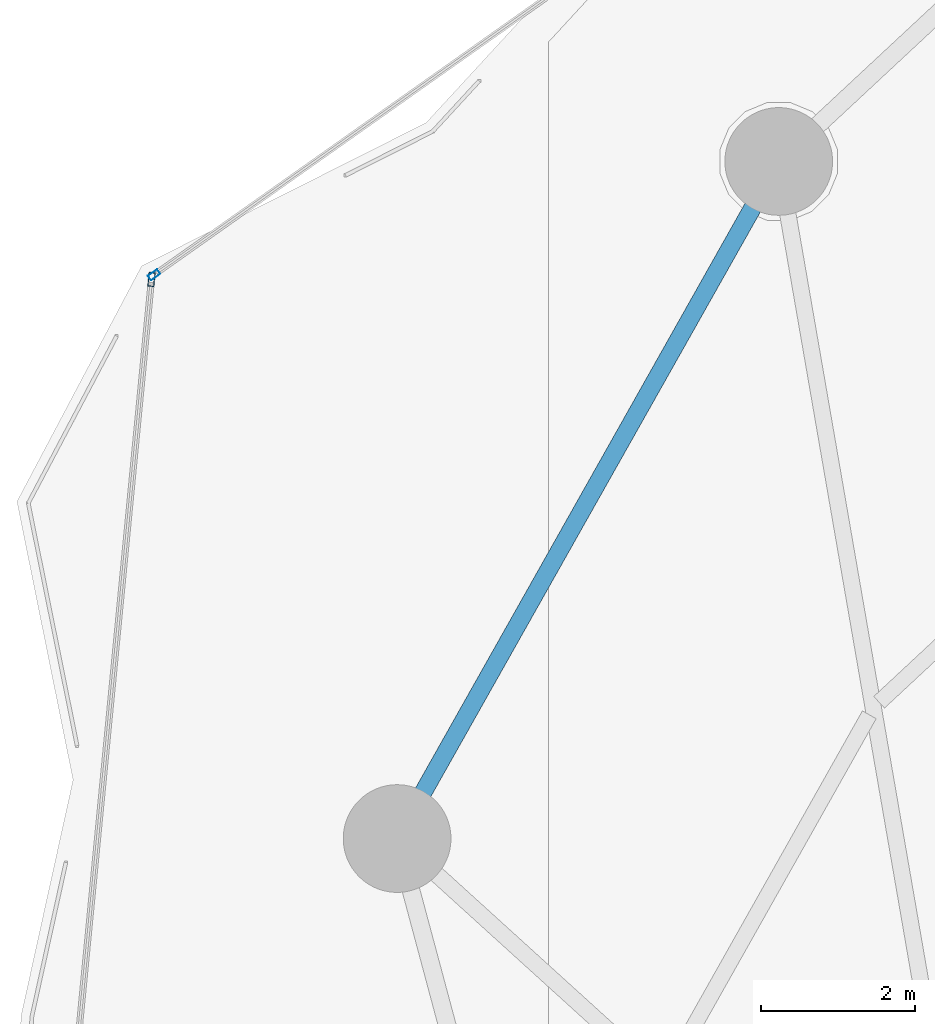
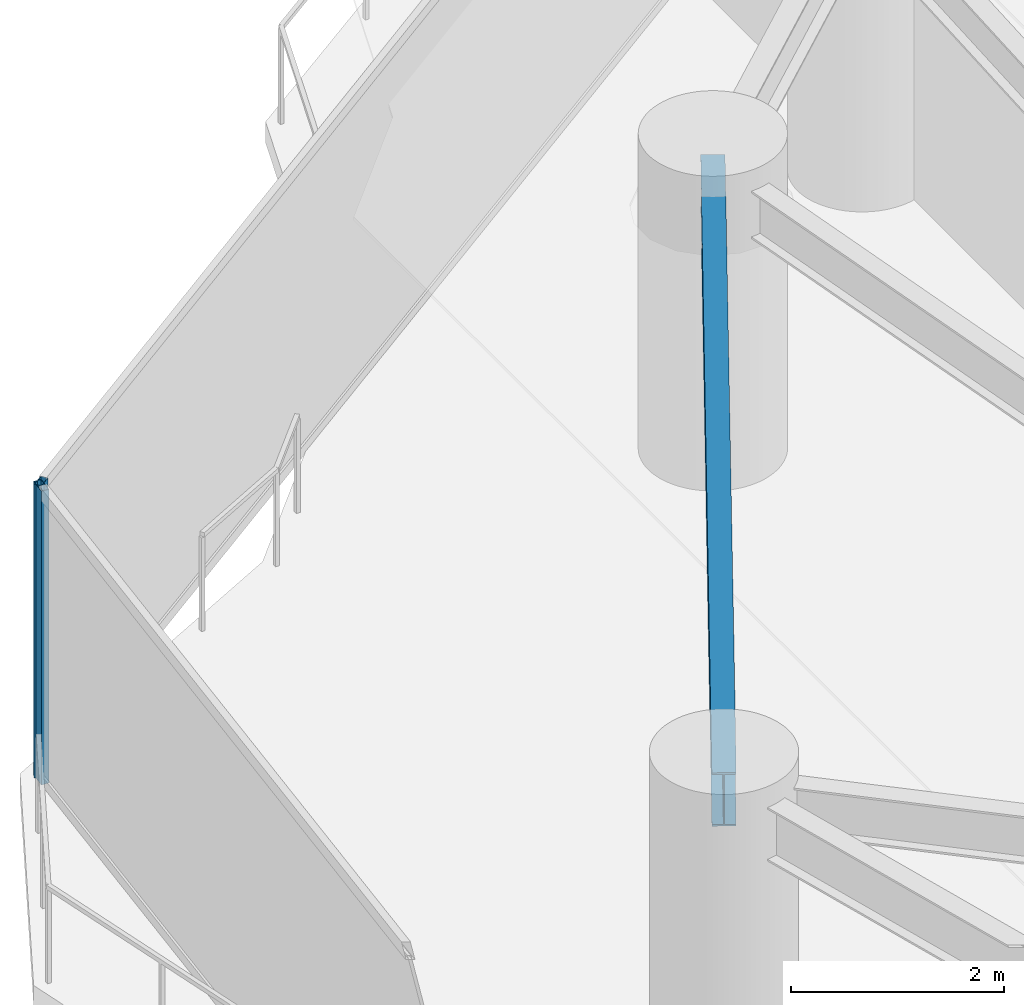
# One storey, part 15 of 31: 2 members, 1 beam, 2 elements without a shape of their own.
"""IFC4 building model written with IfcOpenShell, lengths in metres."""

from ifc_helpers import new_model, si_unit, direction, frame, origin, origin_2d, place, context, subcontext, project, spatial, hollow_rectangle, i_section, extrude, material, layer, layer_set, material_profile, profile_set, type_object, element, aggregate, save


model = new_model("IFC4")

# Units and contexts
model_context = context("Model", 3, precision=1e-05, world=origin(), true_north=direction((0.0, 1.0)))
body_context = subcontext(model_context, "Body", "Model", "MODEL_VIEW")
ifc_project = project(units=[si_unit("LENGTHUNIT", "METRE"), si_unit("AREAUNIT", "SQUARE_METRE"), si_unit("VOLUMEUNIT", "CUBIC_METRE"), si_unit("PLANEANGLEUNIT", "RADIAN"), si_unit("MASSUNIT", "GRAM", prefix="KILO")], contexts=[model_context])

# Site, building, storey
site_placement = place(None, origin())
site = spatial("IfcSite", under=ifc_project, at=site_placement, CompositionType="ELEMENT")
building_placement = place(site_placement, origin())
building = spatial("IfcBuilding", under=site, at=building_placement, Name="Kazevale Care Tower and Concert Hall", CompositionType="ELEMENT")
storey_placement = place(building_placement, frame((0.0, 0.0, 56.39990234375)))
storey = spatial("IfcBuildingStorey", under=building, at=storey_placement, Name="L14", CompositionType="ELEMENT", Elevation=56.39990234375)

# Curtain wall, member
ifc_material_1 = material(Name="Aluminium 6063-T6 and Low-E Glass", Category="aluminium")
ifc_layer_1 = layer(ifc_material_1, 0.179931640625)
ifc_layer_set_1 = layer_set([ifc_layer_1], Name="Aluminium 6063-T6 and Low-E Glass")
curtain_wall_type_1 = type_object("IfcCurtainWallType", Name="Convex Recessed Sunroom Curtain Wall CW-3", PredefinedType="NOTDEFINED", material=ifc_layer_set_1)
curtain_wall_1_placement = place(storey_placement, origin())
curtain_wall_1 = element("IfcCurtainWall", 1, at=curtain_wall_1_placement, inside=storey, type_object=curtain_wall_type_1, Name="cw:L14:f14", PredefinedType="NOTDEFINED")
ifc_material_2 = material(Name="Aluminium 6063-T6", Category="aluminium")
ifc_material_profile_1 = material_profile(ifc_material_2, hollow_rectangle(XDim=0.074951171875, YDim=0.14990234375, WallThickness=0.00390625, at=origin_2d()), Name="ALU75x150x4")
ifc_profile_set_1 = profile_set([ifc_material_profile_1], Name="Aluminium 6063-T6")
member_type_1 = type_object("IfcMemberType", Name="CW-3 Mullion ALU75x150x4", PredefinedType="MULLION", material=ifc_profile_set_1)
member_1_placement = place(storey_placement, frame((11.151611328125, 50.70751953125, 0.0), z_axis=(0.0, 0.0, 1.0), x_axis=(-0.57692895392, 0.816794332821, 0.0)))
member_1 = element("IfcMember", 2, at=member_1_placement, type_object=member_type_1, Name="CW-3 mullion 1", PredefinedType="MULLION", context=body_context, shape_type="SweptSolid", body=[
    extrude(hollow_rectangle(XDim=0.074951171875, YDim=0.14990234375, WallThickness=0.00390625, at=origin_2d()), origin(), (0.0, 0.0, 1.0), 3.360107421875),
])
aggregate(curtain_wall_1, [member_1])

ifc_layer_2 = layer(ifc_material_1, 0.179931640625)
ifc_layer_set_2 = layer_set([ifc_layer_2], Name="Aluminium 6063-T6 and Low-E Glass")
curtain_wall_type_2 = type_object("IfcCurtainWallType", Name="Waist & Upper Residential Curtain Wall CW-4", PredefinedType="NOTDEFINED", material=ifc_layer_set_2)
curtain_wall_2_placement = place(storey_placement, origin())
curtain_wall_2 = element("IfcCurtainWall", 3, at=curtain_wall_2_placement, inside=storey, type_object=curtain_wall_type_2, Name="cw:L14:f13", PredefinedType="NOTDEFINED")
ifc_material_profile_2 = material_profile(ifc_material_2, hollow_rectangle(XDim=0.080078125, YDim=0.179931640625, WallThickness=0.0048828125, at=origin_2d()), Name="ALU80x180x5")
ifc_profile_set_2 = profile_set([ifc_material_profile_2], Name="Aluminium 6063-T6")
member_type_2 = type_object("IfcMemberType", Name="CW-4 Mullion ALU80x180x5", PredefinedType="MULLION", material=ifc_profile_set_2)
member_2_placement = place(storey_placement, frame((11.1171875, 50.646240234375, 0.0), z_axis=(0.0, 0.0, 1.0), x_axis=(-0.995380693067, 0.096006644923, 0.0)))
member_2 = element("IfcMember", 4, at=member_2_placement, type_object=member_type_2, Name="CW-4 mullion 2", PredefinedType="MULLION", context=body_context, shape_type="SweptSolid", body=[
    extrude(hollow_rectangle(XDim=0.080078125, YDim=0.179931640625, WallThickness=0.0048828125, at=origin_2d()), origin(), (0.0, 0.0, 1.0), 3.360107421875),
])
aggregate(curtain_wall_2, [member_2])

# Beam
ifc_material_3 = material(Name="Steel ASTM A572 Gr 50", Category="steel")
ifc_material_profile_3 = material_profile(ifc_material_3, i_section(OverallWidth=0.22900390625, OverallDepth=0.612060546875, WebThickness=0.011962890625, FlangeThickness=0.01953125, at=origin_2d()), Name="W610x125")
ifc_profile_set_3 = profile_set([ifc_material_profile_3], Name="Steel ASTM A572 Gr 50")
beam_type = type_object("IfcBeamType", Name="Ring Spandrel Beam W610x125", PredefinedType="SPANDREL", material=ifc_profile_set_3)
beam_placement = place(storey_placement, frame((19.27001953125, 52.179931640625, 3.05419921875), z_axis=(-0.491008061092, -0.87115502865, 0.0), x_axis=(0.87115502865, -0.491008061092, 0.0)))
element("IfcBeam", 5, at=beam_placement, inside=storey, type_object=beam_type, Name="beam:L14:ring:08", PredefinedType="SPANDREL", context=body_context, shape_type="SweptSolid", body=[
    extrude(i_section(OverallWidth=0.22900390625, OverallDepth=0.612060546875, WebThickness=0.011962890625, FlangeThickness=0.01953125, at=origin_2d()), origin(), (0.0, 0.0, 1.0), 10.1015625),
])

save(model, "model.ifc")
